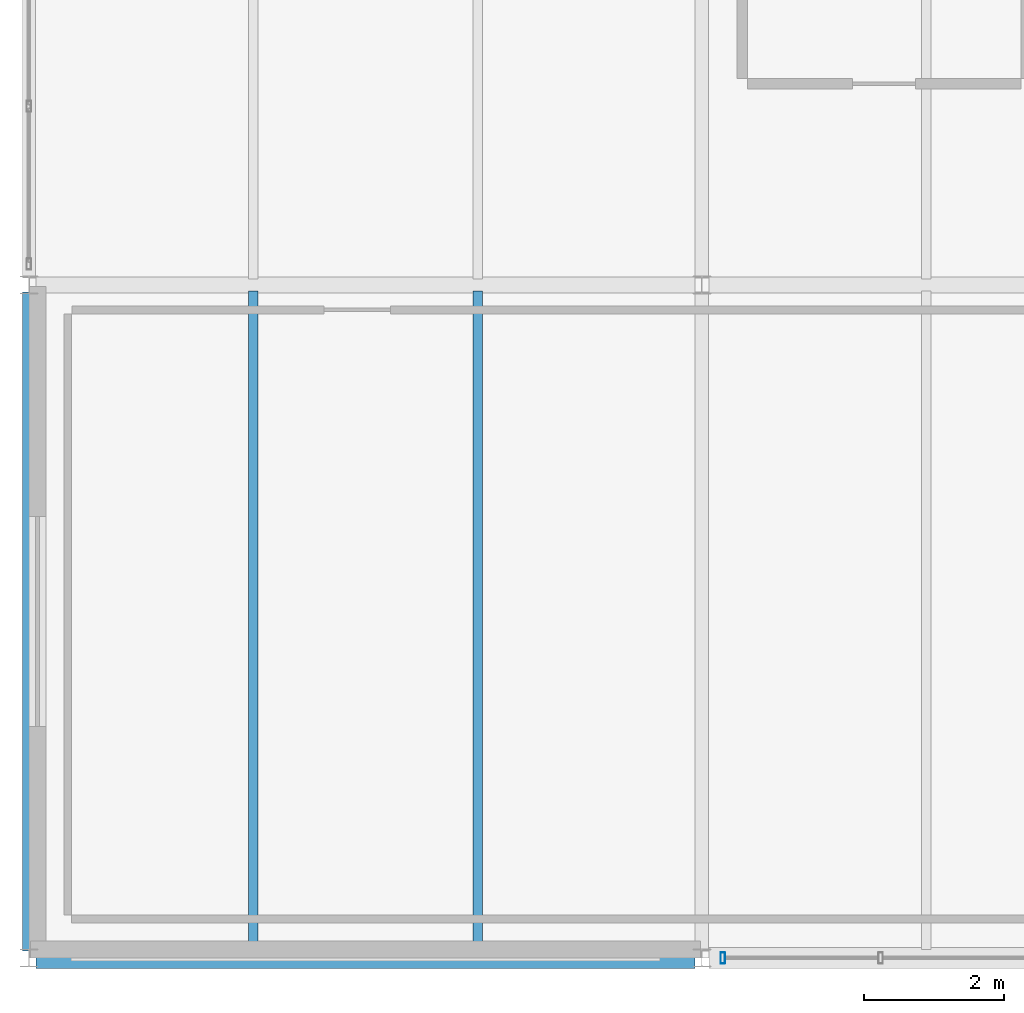
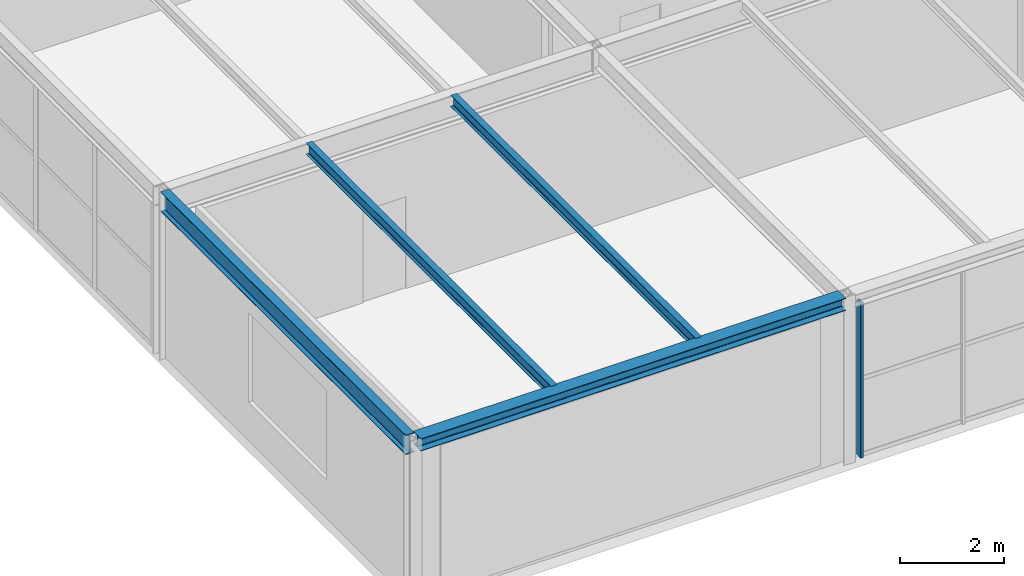
# One storey, part 5 of 33: 4 beams, 1 member, 1 element without a shape of its own.
"""IFC4 building model written with IfcOpenShell, lengths in metres."""

from ifc_helpers import new_model, si_unit, direction, frame, origin, origin_2d, place, context, subcontext, project, spatial, hollow_rectangle, i_section, extrude, material, material_profile, profile_set, type_object, element, aggregate, save


model = new_model("IFC4")

# Units and contexts
model_context = context("Model", 3, precision=1e-05, world=origin(), true_north=direction((0.0, 1.0)))
body_context = subcontext(model_context, "Body", "Model", "MODEL_VIEW")
ifc_project = project(units=[si_unit("LENGTHUNIT", "METRE"), si_unit("AREAUNIT", "SQUARE_METRE"), si_unit("VOLUMEUNIT", "CUBIC_METRE"), si_unit("PLANEANGLEUNIT", "RADIAN"), si_unit("MASSUNIT", "GRAM", prefix="KILO")], contexts=[model_context])

# Site, building, storey
site_placement = place(None, origin())
site = spatial("IfcSite", under=ifc_project, at=site_placement, CompositionType="ELEMENT")
building_placement = place(site_placement, origin())
building = spatial("IfcBuilding", under=site, at=building_placement, Name="Coralgate Yard Interchange", CompositionType="ELEMENT")
storey_placement = place(building_placement, frame((0.0, 0.0, 23.10009765625)))
storey = spatial("IfcBuildingStorey", under=building, at=storey_placement, Name="L05", CompositionType="ELEMENT", Elevation=23.10009765625)

# Beams
ifc_material_1 = material(Name="Structural steel S355J2", Category="steel")
ifc_material_profile_1 = material_profile(ifc_material_1, i_section(OverallWidth=0.1904296875, OverallDepth=0.45703125, WebThickness=0.009033203125, FlangeThickness=0.014404296875, FilletRadius=0.01025390625, at=origin_2d()), Name="UB 457x191x74")
ifc_profile_set_1 = profile_set([ifc_material_profile_1], Name="Structural steel S355J2")
beam_type_1 = type_object("IfcBeamType", Name="BM-SB-2", PredefinedType="BEAM", material=ifc_profile_set_1)
beam_1_placement = place(storey_placement, frame((0.0, 0.10009765625, 3.69140625), z_axis=(0.0, 1.0, 0.0), x_axis=(-1.0, 0.0, 0.0)))
element("IfcBeam", 1, at=beam_1_placement, inside=storey, type_object=beam_type_1, Name="L05 primary grid girder X0 Y0-1", PredefinedType="BEAM", context=body_context, shape_type="SweptSolid", body=[
    extrude(i_section(OverallWidth=0.1904296875, OverallDepth=0.45703125, WebThickness=0.009033203125, FlangeThickness=0.014404296875, FilletRadius=0.01025390625, at=origin_2d()), origin(), (0.0, 0.0, 1.0), 9.39990234375),
])
ifc_material_profile_2 = material_profile(ifc_material_1, i_section(OverallWidth=0.135009765625, OverallDepth=0.27001953125, WebThickness=0.006591796875, FlangeThickness=0.01025390625, FilletRadius=0.014892578125, at=origin_2d()), Name="IPE 270")
ifc_profile_set_2 = profile_set([ifc_material_profile_2], Name="Structural steel S355J2")
beam_type_2 = type_object("IfcBeamType", Name="BM-SJ-3", PredefinedType="JOIST", material=ifc_profile_set_2)
for number, where, z_axis, x_axis, name in (
    (2, (3.199951171875, 0.1201171875, 3.784912109375), (0.0, 1.0, 0.0), (-1.0, 0.0, 0.0), "L05 composite floor joist 0-0-1"),
    (3, (6.39990234375, 0.1201171875, 3.784912109375), (0.0, 1.0, 0.0), (-1.0, 0.0, 0.0), "L05 composite floor joist 0-0-2"),
):
    element("IfcBeam", number, at=place(storey_placement, frame(where, z_axis=z_axis, x_axis=x_axis)), inside=storey, type_object=beam_type_2, Name=name, PredefinedType="JOIST", context=body_context, shape_type="SweptSolid", body=[
        extrude(i_section(OverallWidth=0.135009765625, OverallDepth=0.27001953125, WebThickness=0.006591796875, FlangeThickness=0.01025390625, FilletRadius=0.014892578125, at=origin_2d()), origin(), (0.0, 0.0, 1.0), 9.395751953125),
    ])
ifc_material_profile_3 = material_profile(ifc_material_1, i_section(OverallWidth=0.300048828125, OverallDepth=0.2900390625, WebThickness=0.008544921875, FlangeThickness=0.013916015625, FilletRadius=0.027099609375, at=origin_2d()), Name="HEA 300")
ifc_profile_set_3 = profile_set([ifc_material_profile_3], Name="Structural steel S355J2")
beam_type_3 = type_object("IfcBeamType", Name="BM-SP-2", PredefinedType="SPANDREL", material=ifc_profile_set_3)
beam_2_placement = place(storey_placement, frame((0.09814453125, 0.0, 3.77490234375), z_axis=(1.0, 0.0, 0.0), x_axis=(0.0, 1.0, 0.0)))
element("IfcBeam", 4, at=beam_2_placement, inside=storey, type_object=beam_type_3, Name="L05 primary grid beam Y0 X0-1", PredefinedType="SPANDREL", context=body_context, shape_type="SweptSolid", body=[
    extrude(i_section(OverallWidth=0.300048828125, OverallDepth=0.2900390625, WebThickness=0.008544921875, FlangeThickness=0.013916015625, FilletRadius=0.027099609375, at=origin_2d()), origin(), (0.0, 0.0, 1.0), 9.403564453125),
])

# Curtain wall, member
ifc_material_2 = material(Name="Anodised coastal aluminium and solar-control low-E glass", Category="aluminium")
curtain_wall_type = type_object("IfcCurtainWallType", Name="CW-CW-L05-A", PredefinedType="NOTDEFINED", material=ifc_material_2)
curtain_wall_placement = place(storey_placement, origin())
curtain_wall = element("IfcCurtainWall", 5, at=curtain_wall_placement, inside=storey, type_object=curtain_wall_type, Name="L05 unitised curtain wall CW-L05-S-01-00", PredefinedType="NOTDEFINED")
ifc_material_3 = material(Name="Anodised coastal aluminium 6063-T6", Category="aluminium")
ifc_material_profile_4 = material_profile(ifc_material_3, hollow_rectangle(XDim=0.06494140625, YDim=0.159912109375, WallThickness=0.00390625, InnerFilletRadius=0.00390625, OuterFilletRadius=0.008056640625, at=origin_2d()), Name="ALU 65x160x4")
ifc_profile_set_4 = profile_set([ifc_material_profile_4], Name="Anodised coastal aluminium 6063-T6")
member_type = type_object("IfcMemberType", Name="MB-MUL-160", PredefinedType="MULLION", material=ifc_profile_set_4)
member_placement = place(storey_placement, frame((9.89990234375, 0.0, 0.0), z_axis=(0.0, 0.0, 1.0), x_axis=(1.0, 0.0, 0.0)))
member = element("IfcMember", 6, at=member_placement, type_object=member_type, Name="CW-L05-S-01-00 vertical mullion 5", PredefinedType="MULLION", context=body_context, shape_type="SweptSolid", body=[
    extrude(hollow_rectangle(XDim=0.06494140625, YDim=0.159912109375, WallThickness=0.00390625, InnerFilletRadius=0.00390625, OuterFilletRadius=0.008056640625, at=origin_2d()), origin(), (0.0, 0.0, 1.0), 3.6298828125),
])
aggregate(curtain_wall, [member])

save(model, "model.ifc")
